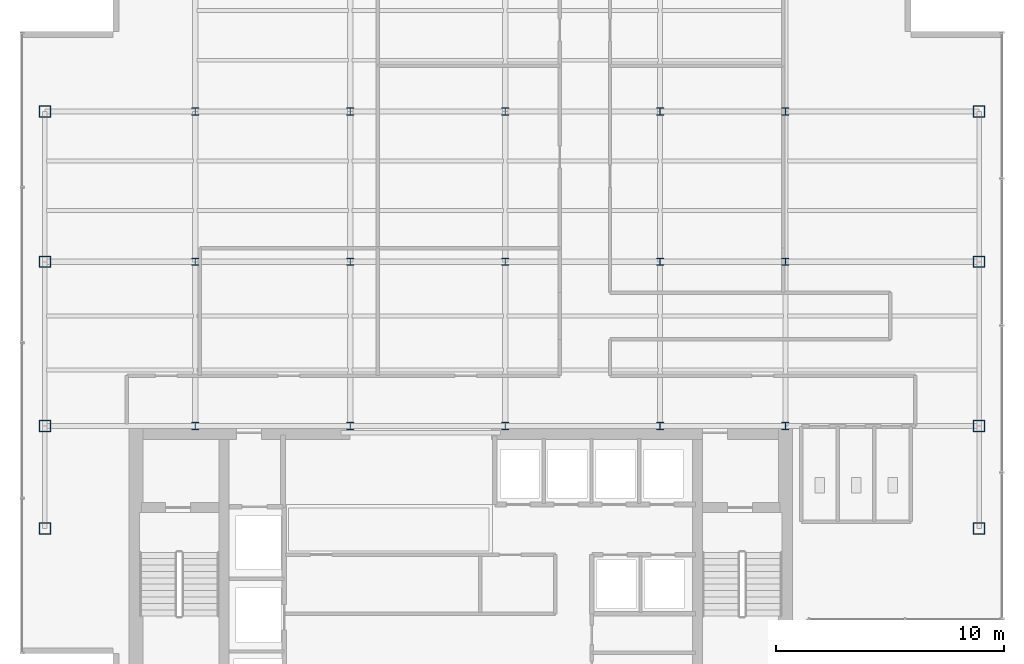
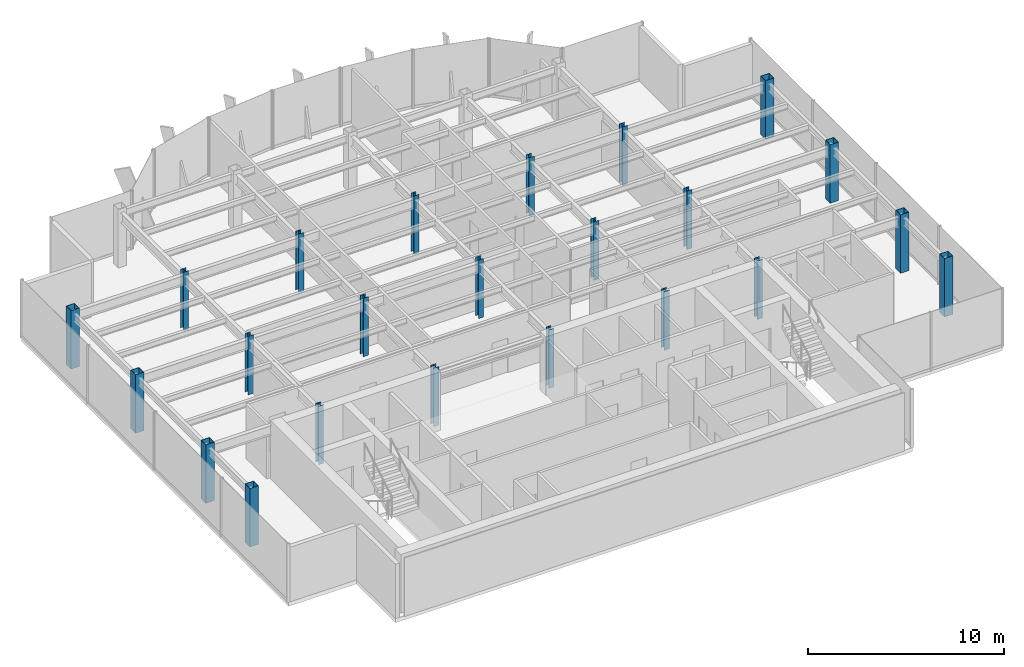
# One storey, part 1 of 22: 23 columns.
"""IFC4 building model written with IfcOpenShell, lengths in metres."""

from ifc_helpers import new_model, si_unit, derived_unit, direction, frame, origin, origin_2d, place, context, subcontext, project, spatial, hollow_rectangle, i_section, extrude, source, transform, mapped, material, material_profile, profile_set, type_object, element, save


model = new_model("IFC4")

# Units and contexts
model_context = context("Model", 3, precision=1e-05, world=origin(), true_north=direction((0.0, 1.0)))
body_context = subcontext(model_context, "Body", "Model", "MODEL_VIEW")
ifc_project = project(units=[si_unit("LENGTHUNIT", "METRE"), si_unit("AREAUNIT", "SQUARE_METRE"), si_unit("VOLUMEUNIT", "CUBIC_METRE"), si_unit("PLANEANGLEUNIT", "RADIAN"), si_unit("MASSUNIT", "GRAM", prefix="KILO"), derived_unit("THERMALTRANSMITTANCEUNIT", [(si_unit("POWERUNIT", "WATT"), 1), (si_unit("LENGTHUNIT", "METRE"), -2), (si_unit("THERMODYNAMICTEMPERATUREUNIT", "KELVIN"), -1)])], contexts=[model_context])

# Site, building, storey
site_placement = place(None, origin())
site = spatial("IfcSite", under=ifc_project, at=site_placement, CompositionType="ELEMENT")
building_placement = place(site_placement, origin())
building = spatial("IfcBuilding", under=site, at=building_placement, Name="Skarnbrae Concourse Arena and Tower", CompositionType="ELEMENT")
storey_placement = place(building_placement, frame((0.0, 0.0, 195.89990234375)))
storey = spatial("IfcBuildingStorey", under=building, at=storey_placement, Name="L50", CompositionType="ELEMENT", Elevation=195.89990234375)

# Columns
ifc_material = material(Name="Steel CSA G40.21 350W", Category="steel")
ifc_material_profile_1 = material_profile(ifc_material, hollow_rectangle(XDim=0.5, YDim=0.5, WallThickness=0.02197265625, at=origin_2d()), Name="HSS500X500X22.0")
ifc_profile_set_1 = profile_set([ifc_material_profile_1], Name="Steel CSA G40.21 350W")
column_type_1 = type_object("IfcColumnType", Name="COL-TUBE-HSS500", PredefinedType="COLUMN", material=ifc_profile_set_1)
shared_shape_1 = source(origin(), body_context, "Body", "SweptSolid", [
    extrude(hollow_rectangle(XDim=0.5, YDim=0.5, WallThickness=0.02197265625, at=origin_2d()), origin(), (0.0, 0.0, 1.0), 3.650146484375),
])
for number, where, z_axis, x_axis, name in (
    (1, (1.0, 9.5, 0.0), (0.0, 0.0, 1.0), (1.0, 0.0, 0.0), "L50 Tower column PC_01_01"),
    (2, (1.0, 14.0, 0.0), (0.0, 0.0, 1.0), (1.0, 0.0, 0.0), "L50 Tower column PC_01_02"),
    (3, (1.0, 21.199951171875, 0.0), (0.0, 0.0, 1.0), (1.0, 0.0, 0.0), "L50 Tower column PC_01_03"),
    (4, (1.0, 27.800048828125, 0.0), (0.0, 0.0, 1.0), (1.0, 0.0, 0.0), "L50 Tower column PC_01_04"),
    (5, (42.0, 9.5, 0.0), (0.0, 0.0, 1.0), (1.0, 0.0, 0.0), "L50 Tower column PC_07_01"),
    (6, (42.0, 14.0, 0.0), (0.0, 0.0, 1.0), (1.0, 0.0, 0.0), "L50 Tower column PC_07_02"),
    (7, (42.0, 21.199951171875, 0.0), (0.0, 0.0, 1.0), (1.0, 0.0, 0.0), "L50 Tower column PC_07_03"),
    (8, (42.0, 27.800048828125, 0.0), (0.0, 0.0, 1.0), (1.0, 0.0, 0.0), "L50 Tower column PC_07_04"),
):
    element("IfcColumn", number, at=place(storey_placement, frame(where, z_axis=z_axis, x_axis=x_axis)), inside=storey, type_object=column_type_1, Name=name, PredefinedType="COLUMN", context=body_context, shape_type="MappedRepresentation", body=[
        mapped(shared_shape_1, transform((0.0, 0.0, 0.0))),
    ])
ifc_material_profile_2 = material_profile(ifc_material, i_section(OverallWidth=0.30908203125, OverallDepth=0.322998046875, WebThickness=0.013916015625, FlangeThickness=0.02294921875, at=origin_2d()), Name="W310X143")
ifc_profile_set_2 = profile_set([ifc_material_profile_2], Name="Steel CSA G40.21 350W")
column_type_2 = type_object("IfcColumnType", Name="COL-INT-W310X143", PredefinedType="COLUMN", material=ifc_profile_set_2)
shared_shape_2 = source(origin(), body_context, "Body", "SweptSolid", [
    extrude(i_section(OverallWidth=0.30908203125, OverallDepth=0.322998046875, WebThickness=0.013916015625, FlangeThickness=0.02294921875, at=origin_2d()), origin(), (0.0, 0.0, 1.0), 3.650146484375),
])
for number, where, z_axis, x_axis, name in (
    (9, (7.60009765625, 14.0, 0.0), (0.0, 0.0, 1.0), (1.0, 0.0, 0.0), "L50 Tower column IC_02_02"),
    (10, (7.60009765625, 21.199951171875, 0.0), (0.0, 0.0, 1.0), (1.0, 0.0, 0.0), "L50 Tower column IC_02_03"),
    (11, (7.60009765625, 27.800048828125, 0.0), (0.0, 0.0, 1.0), (1.0, 0.0, 0.0), "L50 Tower column IC_02_04"),
    (12, (14.39990234375, 14.0, 0.0), (0.0, 0.0, 1.0), (1.0, 0.0, 0.0), "L50 Tower column IC_03_02"),
    (13, (14.39990234375, 21.199951171875, 0.0), (0.0, 0.0, 1.0), (1.0, 0.0, 0.0), "L50 Tower column IC_03_03"),
    (14, (14.39990234375, 27.800048828125, 0.0), (0.0, 0.0, 1.0), (1.0, 0.0, 0.0), "L50 Tower column IC_03_04"),
    (15, (21.199951171875, 14.0, 0.0), (0.0, 0.0, 1.0), (1.0, 0.0, 0.0), "L50 Tower column IC_04_02"),
    (16, (21.199951171875, 21.199951171875, 0.0), (0.0, 0.0, 1.0), (1.0, 0.0, 0.0), "L50 Tower column IC_04_03"),
    (17, (21.199951171875, 27.800048828125, 0.0), (0.0, 0.0, 1.0), (1.0, 0.0, 0.0), "L50 Tower column IC_04_04"),
    (18, (28.0, 14.0, 0.0), (0.0, 0.0, 1.0), (1.0, 0.0, 0.0), "L50 Tower column IC_05_02"),
    (19, (28.0, 21.199951171875, 0.0), (0.0, 0.0, 1.0), (1.0, 0.0, 0.0), "L50 Tower column IC_05_03"),
    (20, (28.0, 27.800048828125, 0.0), (0.0, 0.0, 1.0), (1.0, 0.0, 0.0), "L50 Tower column IC_05_04"),
    (21, (33.5, 14.0, 0.0), (0.0, 0.0, 1.0), (1.0, 0.0, 0.0), "L50 Tower column IC_06_02"),
    (22, (33.5, 21.199951171875, 0.0), (0.0, 0.0, 1.0), (1.0, 0.0, 0.0), "L50 Tower column IC_06_03"),
    (23, (33.5, 27.800048828125, 0.0), (0.0, 0.0, 1.0), (1.0, 0.0, 0.0), "L50 Tower column IC_06_04"),
):
    element("IfcColumn", number, at=place(storey_placement, frame(where, z_axis=z_axis, x_axis=x_axis)), inside=storey, type_object=column_type_2, Name=name, PredefinedType="COLUMN", context=body_context, shape_type="MappedRepresentation", body=[
        mapped(shared_shape_2, transform((0.0, 0.0, 0.0))),
    ])

save(model, "model.ifc")
